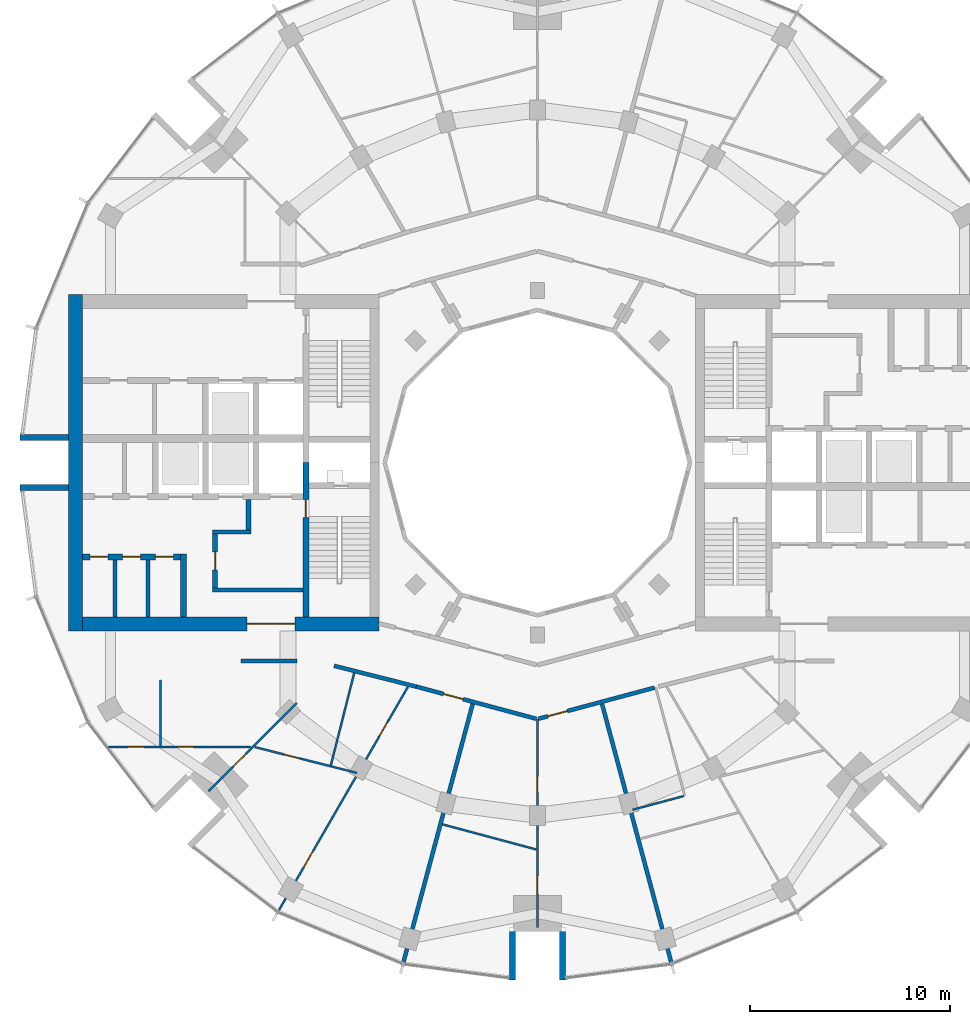
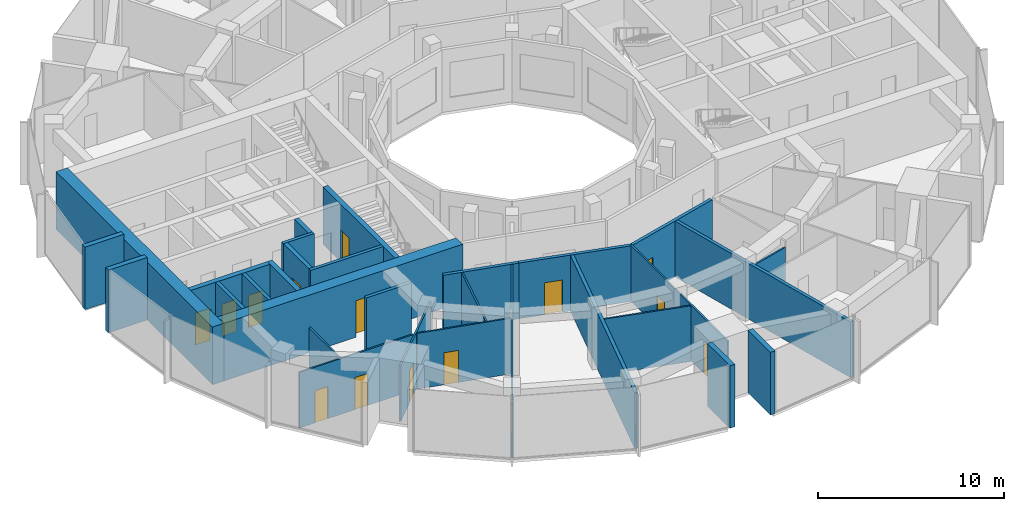
# One storey, part 8 of 15: 30 walls, 16 doors, 16 openings.
"""IFC4 building model written with IfcOpenShell, lengths in metres."""

from ifc_helpers import new_model, si_unit, direction, frame, frame_2d, origin, place, context, subcontext, project, spatial, rectangle, extrude, material, layer, layer_set, type_object, element, fill, save


model = new_model("IFC4")

# Units and contexts
model_context = context("Model", 3, precision=1e-05, world=origin(), true_north=direction((0.0, 1.0)))
body_context = subcontext(model_context, "Body", "Model", "MODEL_VIEW")
ifc_project = project(units=[si_unit("LENGTHUNIT", "METRE"), si_unit("AREAUNIT", "SQUARE_METRE"), si_unit("VOLUMEUNIT", "CUBIC_METRE"), si_unit("PLANEANGLEUNIT", "RADIAN"), si_unit("MASSUNIT", "GRAM", prefix="KILO")], contexts=[model_context])

# Site, building, storey
site_placement = place(None, origin())
site = spatial("IfcSite", under=ifc_project, at=site_placement, CompositionType="ELEMENT")
building_placement = place(site_placement, origin())
building = spatial("IfcBuilding", under=site, at=building_placement, Name="Torre Brocal", CompositionType="ELEMENT")
storey_placement = place(building_placement, frame((0.0, 0.0, 174.10009765625)))
storey = spatial("IfcBuildingStorey", under=building, at=storey_placement, Name="L40", CompositionType="ELEMENT", Elevation=174.10009765625)

# Walls
ifc_material_1 = material(Name="Masonry block", Category="masonry")
ifc_layer_1 = layer(ifc_material_1, 0.199951171875)
ifc_layer_set_1 = layer_set([ifc_layer_1], Name="Masonry block")
wall_type_1 = type_object("IfcWallType", Name="CORE PARTITION 200", PredefinedType="PARTITIONING", material=ifc_layer_set_1)
for number, where, z_axis, x_axis, name in (
    (1, (60.566650390625, 70.14990234375, 0.0), (0.0, 0.0, 1.0), (0.0, -1.0, 0.0), "Wall CP200"),
    (2, (58.933349609375, 70.14990234375, 0.0), (0.0, 0.0, 1.0), (0.0, -1.0, 0.0), "Wall CP200"),
):
    element("IfcWall", number, at=place(storey_placement, frame(where, z_axis=z_axis, x_axis=x_axis)), inside=storey, type_object=wall_type_1, Name=name, PredefinedType="PARTITIONING", context=body_context, shape_type="SweptSolid", body=[
        extrude(rectangle(XDim=2.849853515625, YDim=0.199951171875, at=frame_2d((1.4248046875, 0.0))), origin(), (0.0, 0.0, 1.0), 3.77978515625),
    ])
ifc_material_2 = material(Name="Concrete C70", Category="concrete")
ifc_layer_2 = layer(ifc_material_2, 0.199951171875)
ifc_layer_set_2 = layer_set([ifc_layer_2], Name="Concrete C70")
wall_type_2 = type_object("IfcWallType", Name="CORE WALL 200 C70", PredefinedType="SHEAR", material=ifc_layer_set_2)
wall_1_placement = place(storey_placement, frame((68.300048828125, 68.64990234375, 0.0), z_axis=(0.0, 0.0, 1.0), x_axis=(-1.0, 0.0, 0.0)))
element("IfcWall", 3, at=wall_1_placement, inside=storey, type_object=wall_type_2, Name="Wall CW200-70", PredefinedType="SHEAR", context=body_context, shape_type="SweptSolid", body=[
    extrude(rectangle(XDim=4.5, YDim=0.199951171875, at=frame_2d((2.25, 0.0))), origin(), (0.0, 0.0, 1.0), 3.77978515625),
])
wall_2_placement = place(storey_placement, frame((65.699951171875, 71.550048828125, 0.0), z_axis=(0.0, 0.0, 1.0), x_axis=(-1.0, 0.0, 0.0)))
element("IfcWall", 4, at=wall_2_placement, inside=storey, type_object=wall_type_2, Name="Wall CW200-70", PredefinedType="SHEAR", context=body_context, shape_type="SweptSolid", body=[
    extrude(rectangle(XDim=1.89990234375, YDim=0.199951171875, at=frame_2d((0.949951171875, 0.0))), origin(), (0.0, 0.0, 1.0), 3.77978515625),
])

# Wall, opening, door
ifc_material_3 = material(Name="Concrete C70", Category="concrete")
ifc_layer_3 = layer(ifc_material_3, 0.25)
ifc_layer_set_3 = layer_set([ifc_layer_3], Name="Concrete C70")
wall_type_3 = type_object("IfcWallType", Name="CORE WALL 250 C70", PredefinedType="SHEAR", material=ifc_layer_set_3)
wall_3_placement = place(storey_placement, frame((63.925048828125, 71.449951171875, 0.0), z_axis=(0.0, 0.0, 1.0), x_axis=(0.0, -1.0, 0.0)))
wall_3 = element("IfcWall", 5, at=wall_3_placement, inside=storey, type_object=wall_type_3, Name="Wall CW250-70", PredefinedType="SHEAR", context=body_context, shape_type="SweptSolid", body=[
    extrude(rectangle(XDim=2.699951171875, YDim=0.25, at=frame_2d((1.35009765625, 0.0))), origin(), (0.0, 0.0, 1.0), 3.77978515625),
])
opening_1_placement = place(wall_3_placement, frame((0.89990234375, 0.0, 0.0)))
opening_1 = element("IfcOpeningElement", 6, at=opening_1_placement, cuts=wall_3, Name="Opening W-D08", PredefinedType="OPENING", context=body_context, shape_type="SweptSolid", body=[
    extrude(rectangle(XDim=0.89990234375, YDim=2.10009765625, at=frame_2d((0.449951171875, 1.050048828125))), frame((0.0, 0.135009765625, 0.0), z_axis=(0.0, -1.0, 0.0), x_axis=(1.0, 0.0, 0.0)), (0.0, 0.0, 1.0), 0.27001953125),
])
ifc_material_4 = material(Name="Steel A653", Category="steel")
door_type_1 = type_object("IfcDoorType", Name="LOBBY DOOR FD120 900X2100", OperationType="SINGLE_SWING_RIGHT", PredefinedType="DOOR", material=ifc_material_4)
door_1_placement = place(opening_1_placement, origin())
door_1 = element("IfcDoor", 7, at=door_1_placement, inside=storey, type_object=door_type_1, Name="Door W-D08", OperationType="SINGLE_SWING_LEFT", OverallHeight=2.10009765625, OverallWidth=0.89990234375, PredefinedType="DOOR", context=body_context, shape_type="SweptSolid", body=[
    extrude(rectangle(XDim=0.89990234375, YDim=2.10009765625, at=frame_2d((0.449951171875, 1.050048828125))), frame((0.0, 0.02490234375, 0.0), z_axis=(0.0, -1.0, 0.0), x_axis=(1.0, 0.0, 0.0)), (0.0, 0.0, 1.0), 0.050048828125),
])
fill(opening_1, door_1)

# Wall
wall_4_placement = place(storey_placement, frame((65.574951171875, 73.14990234375, 0.0), z_axis=(0.0, 0.0, 1.0), x_axis=(0.0, -1.0, 0.0)))
element("IfcWall", 8, at=wall_4_placement, inside=storey, type_object=wall_type_3, Name="Wall CW250-70", PredefinedType="SHEAR", context=body_context, shape_type="SweptSolid", body=[
    extrude(rectangle(XDim=1.5, YDim=0.25, at=frame_2d((0.75, 0.0))), origin(), (0.0, 0.0, 1.0), 3.77978515625),
])

# Wall, opening, door
ifc_material_5 = material(Name="Concrete C70", Category="concrete")
ifc_layer_4 = layer(ifc_material_5, 0.300048828125)
ifc_layer_set_4 = layer_set([ifc_layer_4], Name="Concrete C70")
wall_type_4 = type_object("IfcWallType", Name="CORE WALL 300 C70", PredefinedType="SHEAR", material=ifc_layer_set_4)
wall_5_placement = place(storey_placement, frame((68.449951171875, 75.0, 0.0), z_axis=(0.0, 0.0, 1.0), x_axis=(0.0, -1.0, 0.0)))
wall_5 = element("IfcWall", 9, at=wall_5_placement, inside=storey, type_object=wall_type_4, Name="Wall CW300-70", PredefinedType="SHEAR", context=body_context, shape_type="SweptSolid", body=[
    extrude(rectangle(XDim=7.699951171875, YDim=0.300048828125, at=frame_2d((3.85009765625, 0.0))), origin(), (0.0, 0.0, 1.0), 3.77978515625),
])
opening_2_placement = place(wall_5_placement, frame((1.85009765625, 0.0, 0.0)))
opening_2 = element("IfcOpeningElement", 10, at=opening_2_placement, cuts=wall_5, Name="Opening W-D02", PredefinedType="OPENING", context=body_context, shape_type="SweptSolid", body=[
    extrude(rectangle(XDim=0.89990234375, YDim=2.10009765625, at=frame_2d((0.449951171875, 1.050048828125))), frame((0.0, 0.159912109375, 0.0), z_axis=(0.0, -1.0, 0.0), x_axis=(1.0, 0.0, 0.0)), (0.0, 0.0, 1.0), 0.320068359375),
])
ifc_material_6 = material(Name="Steel A653", Category="steel")
door_type_2 = type_object("IfcDoorType", Name="STAIR DOOR FD120 900X2100", OperationType="SINGLE_SWING_RIGHT", PredefinedType="DOOR", material=ifc_material_6)
door_2_placement = place(opening_2_placement, origin())
door_2 = element("IfcDoor", 11, at=door_2_placement, inside=storey, type_object=door_type_2, Name="Door W-D02", OperationType="SINGLE_SWING_LEFT", OverallHeight=2.10009765625, OverallWidth=0.89990234375, PredefinedType="DOOR", context=body_context, shape_type="SweptSolid", body=[
    extrude(rectangle(XDim=0.89990234375, YDim=2.10009765625, at=frame_2d((0.449951171875, 1.050048828125))), frame((0.0, 0.02490234375, 0.0), z_axis=(0.0, -1.0, 0.0), x_axis=(1.0, 0.0, 0.0)), (0.0, 0.0, 1.0), 0.050048828125),
])
fill(opening_2, door_2)

# Wall
wall_6_placement = place(storey_placement, frame((62.35009765625, 70.449951171875, 0.0), z_axis=(0.0, 0.0, 1.0), x_axis=(0.0, -1.0, 0.0)))
element("IfcWall", 12, at=wall_6_placement, inside=storey, type_object=wall_type_4, Name="Wall CW300-70", PredefinedType="SHEAR", context=body_context, shape_type="SweptSolid", body=[
    extrude(rectangle(XDim=3.14990234375, YDim=0.300048828125, at=frame_2d((1.574951171875, 0.0))), origin(), (0.0, 0.0, 1.0), 3.77978515625),
])

# Wall, openings, doors
wall_7_placement = place(storey_placement, frame((62.199951171875, 70.300048828125, 0.0), z_axis=(0.0, 0.0, 1.0), x_axis=(-1.0, 0.0, 0.0)))
wall_7 = element("IfcWall", 13, at=wall_7_placement, inside=storey, type_object=wall_type_4, Name="Wall CW300-70", PredefinedType="SHEAR", context=body_context, shape_type="SweptSolid", body=[
    extrude(rectangle(XDim=4.89990234375, YDim=0.300048828125, at=frame_2d((2.449951171875, 0.0))), origin(), (0.0, 0.0, 1.0), 3.77978515625),
])
opening_3_placement = place(wall_7_placement, frame((0.36669921875, 0.0, 0.0)))
opening_3 = element("IfcOpeningElement", 14, at=opening_3_placement, cuts=wall_7, Name="Opening W-D09", PredefinedType="OPENING", context=body_context, shape_type="SweptSolid", body=[
    extrude(rectangle(XDim=0.89990234375, YDim=2.10009765625, at=frame_2d((0.449951171875, 1.050048828125))), frame((0.0, 0.159912109375, 0.0), z_axis=(0.0, -1.0, 0.0), x_axis=(1.0, 0.0, 0.0)), (0.0, 0.0, 1.0), 0.320068359375),
])
opening_4_placement = place(wall_7_placement, frame((2.0, 0.0, 0.0)))
opening_4 = element("IfcOpeningElement", 15, at=opening_4_placement, cuts=wall_7, Name="Opening W-D10", PredefinedType="OPENING", context=body_context, shape_type="SweptSolid", body=[
    extrude(rectangle(XDim=0.89990234375, YDim=2.10009765625, at=frame_2d((0.449951171875, 1.050048828125))), frame((0.0, 0.159912109375, 0.0), z_axis=(0.0, -1.0, 0.0), x_axis=(1.0, 0.0, 0.0)), (0.0, 0.0, 1.0), 0.320068359375),
])
opening_5_placement = place(wall_7_placement, frame((3.63330078125, 0.0, 0.0)))
opening_5 = element("IfcOpeningElement", 16, at=opening_5_placement, cuts=wall_7, Name="Opening W-D11", PredefinedType="OPENING", context=body_context, shape_type="SweptSolid", body=[
    extrude(rectangle(XDim=0.89990234375, YDim=2.10009765625, at=frame_2d((0.449951171875, 1.050048828125))), frame((0.0, 0.159912109375, 0.0), z_axis=(0.0, -1.0, 0.0), x_axis=(1.0, 0.0, 0.0)), (0.0, 0.0, 1.0), 0.320068359375),
])
ifc_material_7 = material(Name="Steel A653", Category="steel")
door_type_3 = type_object("IfcDoorType", Name="ROOM DOOR FD30S 900X2100", OperationType="SINGLE_SWING_LEFT", PredefinedType="DOOR", material=ifc_material_7)
door_3_placement = place(opening_3_placement, origin())
door_3 = element("IfcDoor", 17, at=door_3_placement, inside=storey, type_object=door_type_3, Name="Door W-D09", OperationType="SINGLE_SWING_RIGHT", OverallHeight=2.10009765625, OverallWidth=0.89990234375, PredefinedType="DOOR", context=body_context, shape_type="SweptSolid", body=[
    extrude(rectangle(XDim=0.89990234375, YDim=2.10009765625, at=frame_2d((0.449951171875, 1.050048828125))), frame((0.0, 0.02490234375, 0.0), z_axis=(0.0, -1.0, 0.0), x_axis=(1.0, 0.0, 0.0)), (0.0, 0.0, 1.0), 0.050048828125),
])
fill(opening_3, door_3)
door_4_placement = place(opening_4_placement, origin())
door_4 = element("IfcDoor", 18, at=door_4_placement, inside=storey, type_object=door_type_3, Name="Door W-D10", OperationType="SINGLE_SWING_LEFT", OverallHeight=2.10009765625, OverallWidth=0.89990234375, PredefinedType="DOOR", context=body_context, shape_type="SweptSolid", body=[
    extrude(rectangle(XDim=0.89990234375, YDim=2.10009765625, at=frame_2d((0.449951171875, 1.050048828125))), frame((0.0, 0.02490234375, 0.0), z_axis=(0.0, -1.0, 0.0), x_axis=(1.0, 0.0, 0.0)), (0.0, 0.0, 1.0), 0.050048828125),
])
fill(opening_4, door_4)
door_5_placement = place(opening_5_placement, origin())
door_5 = element("IfcDoor", 19, at=door_5_placement, inside=storey, type_object=door_type_3, Name="Door W-D11", OperationType="SINGLE_SWING_LEFT", OverallHeight=2.10009765625, OverallWidth=0.89990234375, PredefinedType="DOOR", context=body_context, shape_type="SweptSolid", body=[
    extrude(rectangle(XDim=0.89990234375, YDim=2.10009765625, at=frame_2d((0.449951171875, 1.050048828125))), frame((0.0, 0.02490234375, 0.0), z_axis=(0.0, -1.0, 0.0), x_axis=(1.0, 0.0, 0.0)), (0.0, 0.0, 1.0), 0.050048828125),
])
fill(opening_5, door_5)

# Wall, opening, door
ifc_material_8 = material(Name="Concrete C70", Category="concrete")
ifc_layer_5 = layer(ifc_material_8, 0.699951171875)
ifc_layer_set_5 = layer_set([ifc_layer_5], Name="Concrete C70")
wall_type_5 = type_object("IfcWallType", Name="CORE WALL 700 C70", PredefinedType="SHEAR", material=ifc_layer_set_5)
wall_8_placement = place(storey_placement, frame((72.10009765625, 66.949951171875, 0.0), z_axis=(0.0, 0.0, 1.0), x_axis=(-1.0, 0.0, 0.0)))
wall_8 = element("IfcWall", 20, at=wall_8_placement, inside=storey, type_object=wall_type_5, Name="Wall CW700-70", PredefinedType="SHEAR", context=body_context, shape_type="SweptSolid", body=[
    extrude(rectangle(XDim=14.800048828125, YDim=0.699951171875, at=frame_2d((7.39990234375, 0.0))), origin(), (0.0, 0.0, 1.0), 3.77978515625),
])
opening_6_placement = place(wall_8_placement, frame((4.199951171875, 0.0, 0.0)))
opening_6 = element("IfcOpeningElement", 21, at=opening_6_placement, cuts=wall_8, Name="Opening W-D12", PredefinedType="OPENING", context=body_context, shape_type="SweptSolid", body=[
    extrude(rectangle(XDim=2.39990234375, YDim=2.39990234375, at=frame_2d((1.199951171875, 1.199951171875))), frame((0.0, 0.35986328125, 0.0), z_axis=(0.0, -1.0, 0.0), x_axis=(1.0, 0.0, 0.0)), (0.0, 0.0, 1.0), 0.719970703125),
])
ifc_material_9 = material(Name="Steel A653", Category="steel")
door_type_4 = type_object("IfcDoorType", Name="DOUBLE FIRE DOOR FD90 2400X2400", OperationType="DOUBLE_DOOR_SINGLE_SWING", PredefinedType="DOOR", material=ifc_material_9)
door_6_placement = place(opening_6_placement, frame((2.39990234375, 0.0, 0.0), z_axis=(0.0, 0.0, 1.0), x_axis=(-1.0, 0.0, 0.0)))
door_6 = element("IfcDoor", 22, at=door_6_placement, inside=storey, type_object=door_type_4, Name="Door W-D12", OperationType="DOUBLE_DOOR_SINGLE_SWING", OverallHeight=2.39990234375, OverallWidth=2.39990234375, PredefinedType="DOOR", context=body_context, shape_type="SweptSolid", body=[
    extrude(rectangle(XDim=2.39990234375, YDim=2.39990234375, at=frame_2d((1.199951171875, 1.199951171875))), frame((0.0, 0.02490234375, 0.0), z_axis=(0.0, -1.0, 0.0), x_axis=(1.0, 0.0, 0.0)), (0.0, 0.0, 1.0), 0.050048828125),
])
fill(opening_6, door_6)

# Walls
wall_9_placement = place(storey_placement, frame((56.949951171875, 83.39990234375, 0.0), z_axis=(0.0, 0.0, 1.0), x_axis=(0.0, -1.0, 0.0)))
element("IfcWall", 23, at=wall_9_placement, inside=storey, type_object=wall_type_5, Name="Wall CW700-70", PredefinedType="SHEAR", context=body_context, shape_type="SweptSolid", body=[
    extrude(rectangle(XDim=16.7998046875, YDim=0.699951171875, at=frame_2d((8.39990234375, 0.0))), origin(), (0.0, 0.0, 1.0), 3.77978515625),
])
ifc_material_10 = material(Name="Concrete C70", Category="concrete")
ifc_layer_6 = layer(ifc_material_10, 0.300048828125)
ifc_layer_set_6 = layer_set([ifc_layer_6], Name="Concrete C70")
wall_type_6 = type_object("IfcWallType", Name="NOTCH RETURN WALL 300 C70", PredefinedType="NOTDEFINED", material=ifc_layer_set_6)
for number, where, z_axis, x_axis, name in (
    (24, (56.60009765625, 76.25, 0.0), (0.0, 0.0, 1.0), (-1.0, 0.0, 0.0), "NOTCH RETURN WALL"),
    (25, (56.60009765625, 73.75, 0.0), (0.0, 0.0, 1.0), (-1.0, 0.0, 0.0), "NOTCH RETURN WALL"),
    (26, (78.75, 51.60009765625, 0.0), (0.0, 0.0, 1.0), (0.0, -1.0, 0.0), "NOTCH RETURN WALL"),
    (27, (81.25, 51.60009765625, 0.0), (0.0, 0.0, 1.0), (0.0, -1.0, 0.0), "NOTCH RETURN WALL"),
):
    element("IfcWall", number, at=place(storey_placement, frame(where, z_axis=z_axis, x_axis=x_axis)), inside=storey, type_object=wall_type_6, Name=name, PredefinedType="NOTDEFINED", context=body_context, shape_type="SweptSolid", body=[
        extrude(rectangle(XDim=2.415771484375, YDim=0.300048828125, at=frame_2d((1.2080078125, 0.0))), origin(), (0.0, 0.0, 1.0), 4.099853515625),
    ])

# Wall, openings, doors
ifc_material_11 = material(Name="Gypsum board", Category="Gypsum")
ifc_layer_7 = layer(ifc_material_11, 0.10009765625)
ifc_layer_set_7 = layer_set([ifc_layer_7], Name="Gypsum board")
wall_type_7 = type_object("IfcWallType", Name="PARTITION 100", PredefinedType="PARTITIONING", material=ifc_layer_set_7)
wall_10_placement = place(storey_placement, frame((58.60009765625, 60.81201171875, 0.0), z_axis=(0.0, 0.0, 1.0), x_axis=(1.0, 0.0, 0.0)))
wall_10 = element("IfcWall", 28, at=wall_10_placement, inside=storey, type_object=wall_type_7, Name="BATHROOM WALL", PredefinedType="PARTITIONING", context=body_context, shape_type="SweptSolid", body=[
    extrude(rectangle(XDim=7.091796875, YDim=0.10009765625, at=frame_2d((3.5458984375, 0.0))), origin(), (0.0, 0.0, 1.0), 3.64990234375),
])
opening_7_placement = place(wall_10_placement, frame((3.446044921875, 0.0, 0.0)))
opening_7 = element("IfcOpeningElement", 29, at=opening_7_placement, cuts=wall_10, Name="Opening R02-D33", PredefinedType="OPENING", context=body_context, shape_type="SweptSolid", body=[
    extrude(rectangle(XDim=0.800048828125, YDim=2.10009765625, at=frame_2d((0.39990234375, 1.050048828125))), frame((0.0, 0.06005859375, 0.0), z_axis=(0.0, -1.0, 0.0), x_axis=(1.0, 0.0, 0.0)), (0.0, 0.0, 1.0), 0.1201171875),
])
opening_8_placement = place(wall_10_placement, frame((0.965087890625, 0.0, 0.0)))
opening_8 = element("IfcOpeningElement", 30, at=opening_8_placement, cuts=wall_10, Name="Opening R02-D34", PredefinedType="OPENING", context=body_context, shape_type="SweptSolid", body=[
    extrude(rectangle(XDim=0.800048828125, YDim=2.10009765625, at=frame_2d((0.39990234375, 1.050048828125))), frame((0.0, 0.06005859375, 0.0), z_axis=(0.0, -1.0, 0.0), x_axis=(1.0, 0.0, 0.0)), (0.0, 0.0, 1.0), 0.1201171875),
])
ifc_material_12 = material(Name="Timber", Category="wood")
door_type_5 = type_object("IfcDoorType", Name="BATHROOM DOOR 800X2100", OperationType="SINGLE_SWING_LEFT", PredefinedType="DOOR", material=ifc_material_12)
door_7_placement = place(opening_7_placement, origin())
door_7 = element("IfcDoor", 31, at=door_7_placement, inside=storey, type_object=door_type_5, Name="R02-D33", OperationType="SINGLE_SWING_LEFT", OverallHeight=2.10009765625, OverallWidth=0.800048828125, PredefinedType="DOOR", context=body_context, shape_type="SweptSolid", body=[
    extrude(rectangle(XDim=0.800048828125, YDim=2.10009765625, at=frame_2d((0.39990234375, 1.050048828125))), frame((0.0, 0.02490234375, 0.0), z_axis=(0.0, -1.0, 0.0), x_axis=(1.0, 0.0, 0.0)), (0.0, 0.0, 1.0), 0.050048828125),
])
fill(opening_7, door_7)
door_8_placement = place(opening_8_placement, frame((0.800048828125, 0.0, 0.0), z_axis=(0.0, 0.0, 1.0), x_axis=(-1.0, 0.0, 0.0)))
door_8 = element("IfcDoor", 32, at=door_8_placement, inside=storey, type_object=door_type_5, Name="R02-D34", OperationType="SINGLE_SWING_RIGHT", OverallHeight=2.10009765625, OverallWidth=0.800048828125, PredefinedType="DOOR", context=body_context, shape_type="SweptSolid", body=[
    extrude(rectangle(XDim=0.800048828125, YDim=2.10009765625, at=frame_2d((0.39990234375, 1.050048828125))), frame((0.0, 0.02490234375, 0.0), z_axis=(0.0, -1.0, 0.0), x_axis=(1.0, 0.0, 0.0)), (0.0, 0.0, 1.0), 0.050048828125),
])
fill(opening_8, door_8)

# Wall
wall_11_placement = place(storey_placement, frame((61.199951171875, 60.862060546875, 0.0), z_axis=(0.0, 0.0, 1.0), x_axis=(0.0, 1.0, 0.0)))
element("IfcWall", 33, at=wall_11_placement, inside=storey, type_object=wall_type_7, Name="BATHROOM WALL", PredefinedType="PARTITIONING", context=body_context, shape_type="SweptSolid", body=[
    extrude(rectangle(XDim=3.282958984375, YDim=0.10009765625, at=frame_2d((1.6416015625, 0.0))), origin(), (0.0, 0.0, 1.0), 3.64990234375),
])

# Wall, opening, door
wall_12_placement = place(storey_placement, frame((63.59130859375, 58.60009765625, 0.0), z_axis=(0.0, 0.0, 1.0), x_axis=(0.707263550227, 0.706949977382, 0.0)))
wall_12 = element("IfcWall", 34, at=wall_12_placement, inside=storey, type_object=wall_type_7, Name="BATHROOM WALL", PredefinedType="PARTITIONING", context=body_context, shape_type="SweptSolid", body=[
    extrude(rectangle(XDim=6.228515625, YDim=0.10009765625, at=frame_2d((3.1142578125, 0.0))), origin(), (0.0, 0.0, 1.0), 3.64990234375),
])
opening_9_placement = place(wall_12_placement, frame((1.752197265625, 0.0, 0.0)))
opening_9 = element("IfcOpeningElement", 35, at=opening_9_placement, cuts=wall_12, Name="Opening R02-D32", PredefinedType="OPENING", context=body_context, shape_type="SweptSolid", body=[
    extrude(rectangle(XDim=0.89990234375, YDim=2.10009765625, at=frame_2d((0.449951171875, 1.050048828125))), frame((0.0, 0.06005859375, 0.0), z_axis=(0.0, -1.0, 0.0), x_axis=(1.0, 0.0, 0.0)), (0.0, 0.0, 1.0), 0.1201171875),
])
ifc_material_13 = material(Name="Timber", Category="wood")
door_type_6 = type_object("IfcDoorType", Name="ROOM DOOR 900X2100", OperationType="SINGLE_SWING_LEFT", PredefinedType="DOOR", material=ifc_material_13)
door_9_placement = place(opening_9_placement, origin())
door_9 = element("IfcDoor", 36, at=door_9_placement, inside=storey, type_object=door_type_6, Name="R02-D32", OperationType="SINGLE_SWING_LEFT", OverallHeight=2.10009765625, OverallWidth=0.89990234375, PredefinedType="DOOR", context=body_context, shape_type="SweptSolid", body=[
    extrude(rectangle(XDim=0.89990234375, YDim=2.10009765625, at=frame_2d((0.449951171875, 1.050048828125))), frame((0.0, 0.02490234375, 0.0), z_axis=(0.0, -1.0, 0.0), x_axis=(1.0, 0.0, 0.0)), (0.0, 0.0, 1.0), 0.050048828125),
])
fill(opening_9, door_9)

wall_13_placement = place(storey_placement, frame((65.90380859375, 60.806884765625, 0.0), z_axis=(0.0, 0.0, 1.0), x_axis=(0.969391307129, -0.245520861971, 0.0)))
wall_13 = element("IfcWall", 37, at=wall_13_placement, inside=storey, type_object=wall_type_7, Name="BATHROOM WALL", PredefinedType="PARTITIONING", context=body_context, shape_type="SweptSolid", body=[
    extrude(rectangle(XDim=5.251220703125, YDim=0.10009765625, at=frame_2d((2.62548828125, 0.0))), origin(), (0.0, 0.0, 1.0), 3.64990234375),
])
opening_10_placement = place(wall_13_placement, frame((1.51904296875, 0.0, 0.0)))
opening_10 = element("IfcOpeningElement", 38, at=opening_10_placement, cuts=wall_13, Name="Opening R02-D30", PredefinedType="OPENING", context=body_context, shape_type="SweptSolid", body=[
    extrude(rectangle(XDim=0.800048828125, YDim=2.10009765625, at=frame_2d((0.39990234375, 1.050048828125))), frame((0.0, 0.06005859375, 0.0), z_axis=(0.0, -1.0, 0.0), x_axis=(1.0, 0.0, 0.0)), (0.0, 0.0, 1.0), 0.1201171875),
])
door_10_placement = place(opening_10_placement, origin())
door_10 = element("IfcDoor", 39, at=door_10_placement, inside=storey, type_object=door_type_5, Name="R02-D30", OperationType="SINGLE_SWING_LEFT", OverallHeight=2.10009765625, OverallWidth=0.800048828125, PredefinedType="DOOR", context=body_context, shape_type="SweptSolid", body=[
    extrude(rectangle(XDim=0.800048828125, YDim=2.10009765625, at=frame_2d((0.39990234375, 1.050048828125))), frame((0.0, 0.02490234375, 0.0), z_axis=(0.0, -1.0, 0.0), x_axis=(1.0, 0.0, 0.0)), (0.0, 0.0, 1.0), 0.050048828125),
])
fill(opening_10, door_10)

# Wall, openings, doors
wall_14_placement = place(storey_placement, frame((67.099609375, 52.659423828125, 0.0), z_axis=(0.0, 0.0, 1.0), x_axis=(0.500072574725, 0.865983498692, 0.0)))
wall_14 = element("IfcWall", 40, at=wall_14_placement, inside=storey, type_object=wall_type_7, Name="BATHROOM WALL", PredefinedType="PARTITIONING", context=body_context, shape_type="SweptSolid", body=[
    extrude(rectangle(XDim=12.87646484375, YDim=0.10009765625, at=frame_2d((6.438232421875, 0.0))), origin(), (0.0, 0.0, 1.0), 3.64990234375),
])
opening_11_placement = place(wall_14_placement, frame((2.504150390625, 0.0, 0.0)))
opening_11 = element("IfcOpeningElement", 41, at=opening_11_placement, cuts=wall_14, Name="Opening R02-D29", PredefinedType="OPENING", context=body_context, shape_type="SweptSolid", body=[
    extrude(rectangle(XDim=0.89990234375, YDim=2.10009765625, at=frame_2d((0.449951171875, 1.050048828125))), frame((0.0, 0.06005859375, 0.0), z_axis=(0.0, -1.0, 0.0), x_axis=(1.0, 0.0, 0.0)), (0.0, 0.0, 1.0), 0.1201171875),
])
opening_12_placement = place(wall_14_placement, frame((10.0400390625, 0.0, 0.0)))
opening_12 = element("IfcOpeningElement", 42, at=opening_12_placement, cuts=wall_14, Name="Opening R02-D31", PredefinedType="OPENING", context=body_context, shape_type="SweptSolid", body=[
    extrude(rectangle(XDim=0.800048828125, YDim=2.10009765625, at=frame_2d((0.39990234375, 1.050048828125))), frame((0.0, 0.06005859375, 0.0), z_axis=(0.0, -1.0, 0.0), x_axis=(1.0, 0.0, 0.0)), (0.0, 0.0, 1.0), 0.1201171875),
])
door_11_placement = place(opening_12_placement, origin())
door_11 = element("IfcDoor", 43, at=door_11_placement, inside=storey, type_object=door_type_5, Name="R02-D31", OperationType="SINGLE_SWING_RIGHT", OverallHeight=2.10009765625, OverallWidth=0.800048828125, PredefinedType="DOOR", context=body_context, shape_type="SweptSolid", body=[
    extrude(rectangle(XDim=0.800048828125, YDim=2.10009765625, at=frame_2d((0.39990234375, 1.050048828125))), frame((0.0, 0.02490234375, 0.0), z_axis=(0.0, -1.0, 0.0), x_axis=(1.0, 0.0, 0.0)), (0.0, 0.0, 1.0), 0.050048828125),
])
fill(opening_12, door_11)
door_12_placement = place(opening_11_placement, origin())
door_12 = element("IfcDoor", 44, at=door_12_placement, inside=storey, type_object=door_type_6, Name="R02-D29", OperationType="SINGLE_SWING_LEFT", OverallHeight=2.10009765625, OverallWidth=0.89990234375, PredefinedType="DOOR", context=body_context, shape_type="SweptSolid", body=[
    extrude(rectangle(XDim=0.89990234375, YDim=2.10009765625, at=frame_2d((0.449951171875, 1.050048828125))), frame((0.0, 0.02490234375, 0.0), z_axis=(0.0, -1.0, 0.0), x_axis=(1.0, 0.0, 0.0)), (0.0, 0.0, 1.0), 0.050048828125),
])
fill(opening_11, door_12)

# Walls
wall_15_placement = place(storey_placement, frame((69.6953125, 59.8994140625, 0.0), z_axis=(0.0, 0.0, 1.0), x_axis=(0.245292232594, 0.96944918414, 0.0)))
element("IfcWall", 45, at=wall_15_placement, inside=storey, type_object=wall_type_7, Name="BATHROOM WALL", PredefinedType="PARTITIONING", context=body_context, shape_type="SweptSolid", body=[
    extrude(rectangle(XDim=4.74951171875, YDim=0.10009765625, at=frame_2d((2.374755859375, 0.0))), origin(), (0.0, 0.0, 1.0), 3.64990234375),
])
wall_16_placement = place(storey_placement, frame((75.26708984375, 56.949951171875, 0.0), z_axis=(0.0, 0.0, 1.0), x_axis=(0.965934541962, -0.258786515577, 0.0)))
element("IfcWall", 46, at=wall_16_placement, inside=storey, type_object=wall_type_7, Name="BATHROOM WALL", PredefinedType="PARTITIONING", context=body_context, shape_type="SweptSolid", body=[
    extrude(rectangle(XDim=4.839599609375, YDim=0.10009765625, at=frame_2d((2.419921875, 0.0))), origin(), (0.0, 0.0, 1.0), 3.64990234375),
])

# Wall, openings, doors
wall_17_placement = place(storey_placement, frame((80.0, 51.800048828125, 0.0), z_axis=(0.0, 0.0, 1.0), x_axis=(0.0, 1.0, 0.0)))
wall_17 = element("IfcWall", 47, at=wall_17_placement, inside=storey, type_object=wall_type_7, Name="BATHROOM WALL", PredefinedType="PARTITIONING", context=body_context, shape_type="SweptSolid", body=[
    extrude(rectangle(XDim=10.404052734375, YDim=0.10009765625, at=frame_2d((5.2021484375, 0.0))), origin(), (0.0, 0.0, 1.0), 3.64990234375),
])
opening_13_placement = place(wall_17_placement, frame((1.666015625, 0.0, 0.0)))
opening_13 = element("IfcOpeningElement", 48, at=opening_13_placement, cuts=wall_17, Name="Opening R02-D26", PredefinedType="OPENING", context=body_context, shape_type="SweptSolid", body=[
    extrude(rectangle(XDim=0.89990234375, YDim=2.10009765625, at=frame_2d((0.449951171875, 1.050048828125))), frame((0.0, 0.06005859375, 0.0), z_axis=(0.0, -1.0, 0.0), x_axis=(1.0, 0.0, 0.0)), (0.0, 0.0, 1.0), 0.1201171875),
])
opening_14_placement = place(wall_17_placement, frame((6.742919921875, 0.0, 0.0)))
opening_14 = element("IfcOpeningElement", 49, at=opening_14_placement, cuts=wall_17, Name="Opening R02-D27", PredefinedType="OPENING", context=body_context, shape_type="SweptSolid", body=[
    extrude(rectangle(XDim=0.800048828125, YDim=2.10009765625, at=frame_2d((0.39990234375, 1.050048828125))), frame((0.0, 0.06005859375, 0.0), z_axis=(0.0, -1.0, 0.0), x_axis=(1.0, 0.0, 0.0)), (0.0, 0.0, 1.0), 0.1201171875),
])
door_13_placement = place(opening_14_placement, origin())
door_13 = element("IfcDoor", 50, at=door_13_placement, inside=storey, type_object=door_type_5, Name="R02-D27", OperationType="SINGLE_SWING_LEFT", OverallHeight=2.10009765625, OverallWidth=0.800048828125, PredefinedType="DOOR", context=body_context, shape_type="SweptSolid", body=[
    extrude(rectangle(XDim=0.800048828125, YDim=2.10009765625, at=frame_2d((0.39990234375, 1.050048828125))), frame((0.0, 0.02490234375, 0.0), z_axis=(0.0, -1.0, 0.0), x_axis=(1.0, 0.0, 0.0)), (0.0, 0.0, 1.0), 0.050048828125),
])
fill(opening_14, door_13)
door_14_placement = place(opening_13_placement, origin())
door_14 = element("IfcDoor", 51, at=door_14_placement, inside=storey, type_object=door_type_6, Name="R02-D26", OperationType="SINGLE_SWING_RIGHT", OverallHeight=2.10009765625, OverallWidth=0.89990234375, PredefinedType="DOOR", context=body_context, shape_type="SweptSolid", body=[
    extrude(rectangle(XDim=0.89990234375, YDim=2.10009765625, at=frame_2d((0.449951171875, 1.050048828125))), frame((0.0, 0.02490234375, 0.0), z_axis=(0.0, -1.0, 0.0), x_axis=(1.0, 0.0, 0.0)), (0.0, 0.0, 1.0), 0.050048828125),
])
fill(opening_13, door_14)

# Walls
ifc_material_14 = material(Name="Gypsum board", Category="Gypsum")
ifc_layer_8 = layer(ifc_material_14, 0.10009765625)
ifc_layer_set_8 = layer_set([ifc_layer_8], Name="Gypsum board")
wall_type_8 = type_object("IfcWallType", Name="PARTITION 100 UNDER BEAM 820", PredefinedType="PARTITIONING", material=ifc_layer_set_8)
wall_18_placement = place(storey_placement, frame((84.74560546875, 57.677978515625, 0.0), z_axis=(0.0, 0.0, 1.0), x_axis=(0.965894568086, 0.258935674139, 0.0)))
element("IfcWall", 52, at=wall_18_placement, inside=storey, type_object=wall_type_8, Name="BATHROOM WALL", PredefinedType="PARTITIONING", context=body_context, shape_type="SweptSolid", body=[
    extrude(rectangle(XDim=2.6494140625, YDim=0.10009765625, at=frame_2d((1.32470703125, 0.0))), origin(), (0.0, 0.0, 1.0), 3.27978515625),
])
ifc_material_15 = material(Name="Gypsum board", Category="Gypsum")
ifc_layer_9 = layer(ifc_material_15, 0.199951171875)
ifc_layer_set_9 = layer_set([ifc_layer_9], Name="Gypsum board")
wall_type_9 = type_object("IfcWallType", Name="PARTITION 200 EI60", PredefinedType="PARTITIONING", material=ifc_layer_set_9)
wall_19_placement = place(storey_placement, frame((65.199951171875, 65.10009765625, 0.0), z_axis=(0.0, 0.0, 1.0), x_axis=(1.0, 0.0, 0.0)))
element("IfcWall", 53, at=wall_19_placement, inside=storey, type_object=wall_type_9, Name="GUESTROOM CORRIDOR WALL", PredefinedType="PARTITIONING", context=body_context, shape_type="SweptSolid", body=[
    extrude(rectangle(XDim=2.800048828125, YDim=0.199951171875, at=frame_2d((1.39990234375, 0.0))), origin(), (0.0, 0.0, 1.0), 3.64990234375),
])
wall_20_placement = place(storey_placement, frame((69.860107421875, 64.860107421875, 0.0), z_axis=(0.0, 0.0, 1.0), x_axis=(0.96942980222, -0.245368821506, 0.0)))
element("IfcWall", 54, at=wall_20_placement, inside=storey, type_object=wall_type_9, Name="FLAT ENTRANCE WALL", PredefinedType="PARTITIONING", context=body_context, shape_type="SweptSolid", body=[
    extrude(rectangle(XDim=4.2158203125, YDim=0.199951171875, at=frame_2d((2.10791015625, 0.0))), origin(), (0.0, 0.0, 1.0), 3.64990234375),
])
wall_21_placement = place(storey_placement, frame((73.32080078125, 50.081298828125, 0.0), z_axis=(0.0, 0.0, 1.0), x_axis=(0.258926994059, 0.965896894988, 0.0)))
element("IfcWall", 55, at=wall_21_placement, inside=storey, type_object=wall_type_9, Name="BATHROOM WALL", PredefinedType="PARTITIONING", context=body_context, shape_type="SweptSolid", body=[
    extrude(rectangle(XDim=13.338134765625, YDim=0.199951171875, at=frame_2d((6.6689453125, 0.0))), origin(), (0.0, 0.0, 1.0), 3.64990234375),
])

# Wall, opening, door
wall_22_placement = place(storey_placement, frame((73.947021484375, 63.825927734375, 0.0), z_axis=(0.0, 0.0, 1.0), x_axis=(0.965908253407, -0.258884619088, 0.0)))
wall_22 = element("IfcWall", 56, at=wall_22_placement, inside=storey, type_object=wall_type_9, Name="FLAT ENTRANCE WALL", PredefinedType="PARTITIONING", context=body_context, shape_type="SweptSolid", body=[
    extrude(rectangle(XDim=6.216552734375, YDim=0.199951171875, at=frame_2d((3.1083984375, 0.0))), origin(), (0.0, 0.0, 1.0), 3.64990234375),
])
opening_15_placement = place(wall_22_placement, frame((1.42431640625, 0.0, 0.0)))
opening_15 = element("IfcOpeningElement", 57, at=opening_15_placement, cuts=wall_22, Name="Opening R02-D28", PredefinedType="OPENING", context=body_context, shape_type="SweptSolid", body=[
    extrude(rectangle(XDim=1.0, YDim=2.10009765625, at=frame_2d((0.5, 1.050048828125))), frame((0.0, 0.10986328125, 0.0), z_axis=(0.0, -1.0, 0.0), x_axis=(1.0, 0.0, 0.0)), (0.0, 0.0, 1.0), 0.219970703125),
])
ifc_material_16 = material(Name="Timber", Category="wood")
door_type_7 = type_object("IfcDoorType", Name="FLAT ENTRY DOOR FD30S 1000X2100", OperationType="SINGLE_SWING_RIGHT", PredefinedType="DOOR", material=ifc_material_16)
door_15_placement = place(opening_15_placement, frame((1.0, 0.0, 0.0), z_axis=(0.0, 0.0, 1.0), x_axis=(-1.0, 0.0, 0.0)))
door_15 = element("IfcDoor", 58, at=door_15_placement, inside=storey, type_object=door_type_7, Name="R02-D28", OperationType="SINGLE_SWING_LEFT", OverallHeight=2.10009765625, OverallWidth=1.0, PredefinedType="DOOR", context=body_context, shape_type="SweptSolid", body=[
    extrude(rectangle(XDim=1.0, YDim=2.10009765625, at=frame_2d((0.5, 1.050048828125))), frame((0.0, 0.02490234375, 0.0), z_axis=(0.0, -1.0, 0.0), x_axis=(1.0, 0.0, 0.0)), (0.0, 0.0, 1.0), 0.050048828125),
])
fill(opening_15, door_15)

wall_23_placement = place(storey_placement, frame((80.04833984375, 62.217041015625, 0.0), z_axis=(0.0, 0.0, 1.0), x_axis=(0.965941520544, 0.258760466242, 0.0)))
wall_23 = element("IfcWall", 59, at=wall_23_placement, inside=storey, type_object=wall_type_9, Name="FLAT ENTRANCE WALL", PredefinedType="PARTITIONING", context=body_context, shape_type="SweptSolid", body=[
    extrude(rectangle(XDim=6.00634765625, YDim=0.199951171875, at=frame_2d((3.003173828125, 0.0))), origin(), (0.0, 0.0, 1.0), 3.64990234375),
])
opening_16_placement = place(wall_23_placement, frame((0.5, 0.0, 0.0)))
opening_16 = element("IfcOpeningElement", 60, at=opening_16_placement, cuts=wall_23, Name="Opening R02-D25", PredefinedType="OPENING", context=body_context, shape_type="SweptSolid", body=[
    extrude(rectangle(XDim=1.0, YDim=2.10009765625, at=frame_2d((0.5, 1.050048828125))), frame((0.0, 0.10986328125, 0.0), z_axis=(0.0, -1.0, 0.0), x_axis=(1.0, 0.0, 0.0)), (0.0, 0.0, 1.0), 0.219970703125),
])
door_16_placement = place(opening_16_placement, frame((1.0, 0.0, 0.0), z_axis=(0.0, 0.0, 1.0), x_axis=(-1.0, 0.0, 0.0)))
door_16 = element("IfcDoor", 61, at=door_16_placement, inside=storey, type_object=door_type_7, Name="R02-D25", OperationType="SINGLE_SWING_RIGHT", OverallHeight=2.10009765625, OverallWidth=1.0, PredefinedType="DOOR", context=body_context, shape_type="SweptSolid", body=[
    extrude(rectangle(XDim=1.0, YDim=2.10009765625, at=frame_2d((0.5, 1.050048828125))), frame((0.0, 0.02490234375, 0.0), z_axis=(0.0, -1.0, 0.0), x_axis=(1.0, 0.0, 0.0)), (0.0, 0.0, 1.0), 0.050048828125),
])
fill(opening_16, door_16)

# Wall
wall_24_placement = place(storey_placement, frame((83.22607421875, 62.964599609375, 0.0), z_axis=(0.0, 0.0, 1.0), x_axis=(0.258657094602, -0.965969206244, 0.0)))
element("IfcWall", 62, at=wall_24_placement, inside=storey, type_object=wall_type_9, Name="BATHROOM WALL", PredefinedType="PARTITIONING", context=body_context, shape_type="SweptSolid", body=[
    extrude(rectangle(XDim=13.337890625, YDim=0.199951171875, at=frame_2d((6.6689453125, 0.0))), origin(), (0.0, 0.0, 1.0), 3.64990234375),
])

save(model, "model.ifc")
